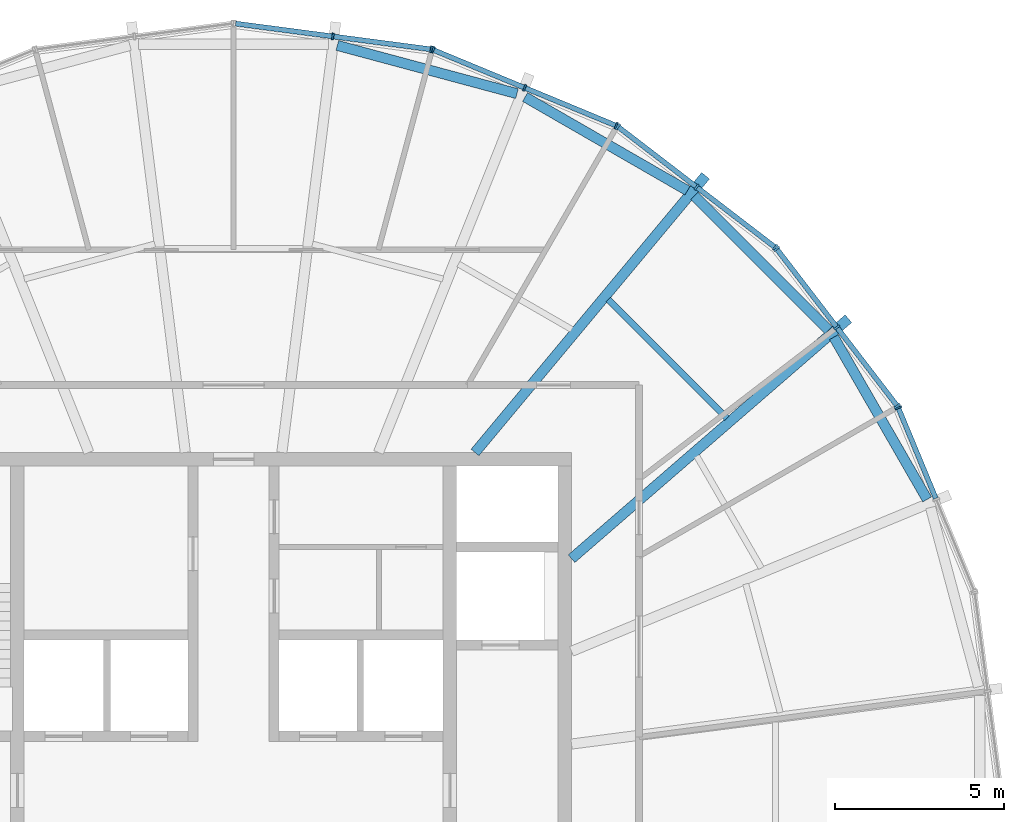
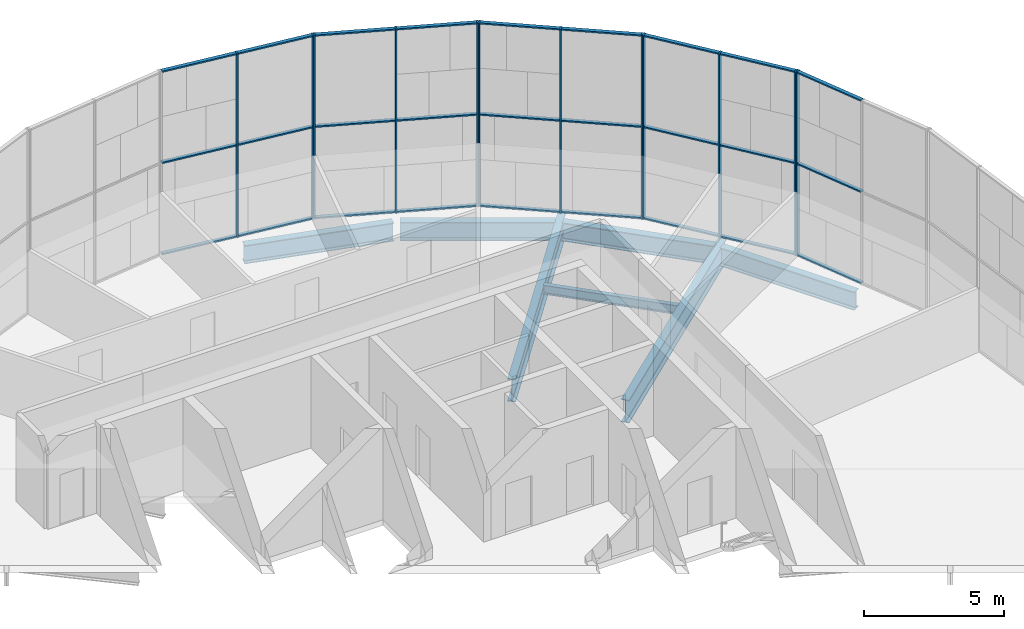
# One storey, part 7 of 19: 39 members, 7 beams, 5 elements without a shape of their own.
"""IFC4 building model written with IfcOpenShell, lengths in metres."""

import ifcopenshell
import ifcopenshell.guid

model = None  # the IFC model being written
_history = None  # IfcOwnerHistory: only IFC2X3 demands one
_inside = {}  # id of a spatial element -> (the spatial element, [elements in it])
_under = {}  # id of a project, library or spatial element -> (it, [spatial elements below it])
_declared = {}  # id of a project -> (the project, [libraries it declares])
_typed = {}  # id of a type object -> (the type object, [elements of that type])
_made_of = {}  # id of a material, layer set ... -> (it, [elements and type objects made of it])


def new_model(schema):
    """Start an empty IFC model of exactly this schema.

    Asked for "IFC4X3", IfcOpenShell would pick the latest addendum, in which some entities
    have other attributes; the version numbers below select the first issue.
    IFC2X3 requires an IfcOwnerHistory on every rooted entity: one is made here for all.
    """
    global model, _history
    if schema == "IFC4X3":
        model = ifcopenshell.file(schema_version=(4, 3, 0, 0))
    else:
        model = ifcopenshell.file(schema=schema)
    _inside.clear()
    _under.clear()
    _declared.clear()
    _typed.clear()
    _made_of.clear()
    _history = None
    if model.schema == "IFC2X3":
        org = make("IfcOrganization", Name="unknown")
        user = make(
            "IfcPersonAndOrganization",
            ThePerson=make("IfcPerson", FamilyName="unknown"),
            TheOrganization=org,
        )
        app = make(
            "IfcApplication",
            ApplicationDeveloper=org,
            Version="unknown",
            ApplicationFullName="unknown",
            ApplicationIdentifier="unknown",
        )
        _history = make(
            "IfcOwnerHistory",
            OwningUser=user,
            OwningApplication=app,
            ChangeAction="ADDED",
            CreationDate=0,
        )
    return model


def make(cls, **values):
    """One entity of the class cls with the attributes given. An attribute that is None is left unset."""
    return model.create_entity(
        cls, **{name: value for name, value in values.items() if value is not None}
    )


def rooted(cls, **values):
    """An entity with a GlobalId (a new one), such as an element, a storey or a relation."""
    return make(cls, GlobalId=ifcopenshell.guid.new(), OwnerHistory=_history, **values)


def si_unit(unit_type, name, prefix=None):
    """IfcSIUnit, for example si_unit("LENGTHUNIT", "METRE", prefix="MILLI")."""
    return make("IfcSIUnit", UnitType=unit_type, Prefix=prefix, Name=name)


def assignment(units):
    """IfcUnitAssignment: the units of a project."""
    return None if units is None else make("IfcUnitAssignment", Units=units)


def point(xyz):
    """IfcCartesianPoint."""
    return None if xyz is None else make("IfcCartesianPoint", Coordinates=xyz)


def direction(xyz):
    """IfcDirection."""
    return None if xyz is None else make("IfcDirection", DirectionRatios=xyz)


def frame(location, z_axis=None, x_axis=None):
    """IfcAxis2Placement3D, a coordinate frame: its origin and axes. An axis left out is left unset."""
    return make(
        "IfcAxis2Placement3D",
        Location=point(location),
        Axis=direction(z_axis),
        RefDirection=direction(x_axis),
    )


def frame_2d(location, x_axis=None):
    """IfcAxis2Placement2D, a coordinate frame in the plane: its origin and x axis."""
    return make(
        "IfcAxis2Placement2D", Location=point(location), RefDirection=direction(x_axis)
    )


def origin():
    """The frame at (0, 0, 0) with its axes left unset."""
    return frame((0.0, 0.0, 0.0))


def origin_2d():
    """The frame at (0, 0) in the plane with its x axis left unset."""
    return frame_2d((0.0, 0.0))


def place(relative_to, where):
    """IfcLocalPlacement: puts the frame where relative to a parent placement (None: the world)."""
    return make(
        "IfcLocalPlacement", PlacementRelTo=relative_to, RelativePlacement=where
    )


def context(
    kind, dimensions, precision=None, world=None, true_north=None, identifier=None
):
    """IfcGeometricRepresentationContext, for example the 3D "Model" context."""
    return make(
        "IfcGeometricRepresentationContext",
        ContextIdentifier=identifier,
        ContextType=kind,
        CoordinateSpaceDimension=dimensions,
        Precision=precision,
        WorldCoordinateSystem=world,
        TrueNorth=true_north,
    )


def subcontext(parent, identifier, kind, view, scale=None):
    """IfcGeometricRepresentationSubContext, for example "Body" below "Model"."""
    return make(
        "IfcGeometricRepresentationSubContext",
        ContextIdentifier=identifier,
        ContextType=kind,
        ParentContext=parent,
        TargetScale=scale,
        TargetView=view,
    )


def project(units=None, contexts=None):
    """IfcProject with its units and contexts."""
    return rooted(
        "IfcProject",
        Name="project",
        RepresentationContexts=contexts,
        UnitsInContext=assignment(units),
    )


def spatial(cls, under=None, at=None, **own):
    """A site, building, storey or space (cls), placed at a placement, below another one or the project."""
    s = rooted(cls, ObjectPlacement=at, **own)
    if under is not None:
        _under.setdefault(under.id(), (under, []))[1].append(s)
    return s


def profile(cls, at=None, kind="AREA", **sizes):
    """A parametric profile (cls). Its sizes go by their IFC names, for example OverallWidth=200.0."""
    return make(cls, ProfileType=kind, Position=at, **sizes)


def rectangle(**sizes):
    """IfcRectangleProfileDef."""
    return profile("IfcRectangleProfileDef", **sizes)


def i_section(**sizes):
    """IfcIShapeProfileDef."""
    return profile("IfcIShapeProfileDef", **sizes)


def extrude(swept, where, along, depth):
    """IfcExtrudedAreaSolid: the profile swept, set in the frame where, extruded along a direction by depth."""
    return make(
        "IfcExtrudedAreaSolid",
        SweptArea=swept,
        Position=where,
        ExtrudedDirection=direction(along),
        Depth=depth,
    )


def shape(context_of_items, identifier, shape_type, items):
    """IfcShapeRepresentation: the items that make up one representation, for example the "Body"."""
    return make(
        "IfcShapeRepresentation",
        ContextOfItems=context_of_items,
        RepresentationIdentifier=identifier,
        RepresentationType=shape_type,
        Items=items,
    )


def material(Name=None, Category=None):
    """IfcMaterial."""
    return make("IfcMaterial", Name=Name, Category=Category)


def material_profile(
    of_material, cross_section, Name=None, Category=None, Priority=None
):
    """IfcMaterialProfile: a cross section and its material."""
    return make(
        "IfcMaterialProfile",
        Name=Name,
        Material=of_material,
        Profile=cross_section,
        Priority=Priority,
        Category=Category,
    )


def profile_set(profiles, Name=None, composite=None):
    """IfcMaterialProfileSet."""
    return make(
        "IfcMaterialProfileSet",
        Name=Name,
        MaterialProfiles=profiles,
        CompositeProfile=composite,
    )


def made_of(thing, what):
    """Note that an element or type object is made of a material, layer set ...; save() writes the relation."""
    if what is not None:
        _made_of.setdefault(what.id(), (what, []))[1].append(thing)
    return thing


def type_object(cls, material=None, **own):
    """A type object (cls), such as IfcWallType, which elements share."""
    return made_of(rooted(cls, **own), material)


def element(
    cls,
    number,
    at=None,
    inside=None,
    cuts=None,
    type_object=None,
    material=None,
    context=None,
    identifier="Body",
    shape_type=None,
    held_by="IfcProductDefinitionShape",
    body=None,
    shapes=None,
    **own,
):
    """One element of the class cls, such as IfcWall. Its Tag is "e" and its number.

    at: its placement. inside: the storey or other place that contains it. cuts: it is an
    opening in that element (IfcRelVoidsElement). A single representation is given by context,
    identifier, shape_type and body (its items); several are given by shapes. held_by: the class
    of the entity that holds the representations. save() writes the other relations.
    """
    e = rooted(cls, Tag="e%d" % number, ObjectPlacement=at, **own)
    if body is not None:
        shapes = [shape(context, identifier, shape_type, body)]
    if shapes is not None:
        e.Representation = make(held_by, Representations=shapes)
    if inside is not None:
        _inside.setdefault(inside.id(), (inside, []))[1].append(e)
    if cuts is not None:
        rooted(
            "IfcRelVoidsElement", RelatingBuildingElement=cuts, RelatedOpeningElement=e
        )
    if type_object is not None:
        _typed.setdefault(type_object.id(), (type_object, []))[1].append(e)
    return made_of(e, material)


def aggregate(whole, parts):
    """IfcRelAggregates: a whole, such as a stair, and the parts it consists of."""
    return rooted("IfcRelAggregates", RelatingObject=whole, RelatedObjects=parts)


def save(model, path):
    """Write the relations noted so far, then the file.

    IfcRelAggregates (storeys below a building ...), IfcRelContainedInSpatialStructure (elements
    in a storey), IfcRelDefinesByType, IfcRelAssociatesMaterial and IfcRelDeclares: one each for
    every whole, place, type object, material and project.
    """
    for whole, parts in _under.values():
        aggregate(whole, parts)
    for where, things in _inside.values():
        rooted(
            "IfcRelContainedInSpatialStructure",
            RelatedElements=things,
            RelatingStructure=where,
        )
    for kind, things in _typed.values():
        rooted("IfcRelDefinesByType", RelatedObjects=things, RelatingType=kind)
    for what, things in _made_of.values():
        rooted("IfcRelAssociatesMaterial", RelatedObjects=things, RelatingMaterial=what)
    for by, libraries in _declared.values():
        rooted("IfcRelDeclares", RelatingContext=by, RelatedDefinitions=libraries)
    model.write(path)


model = new_model("IFC4")

# Units and contexts
model_context = context("Model", 3, precision=1e-05, world=origin(), true_north=direction((0.0, 1.0)))
body_context = subcontext(model_context, "Body", "Model", "MODEL_VIEW")
ifc_project = project(units=[si_unit("LENGTHUNIT", "METRE"), si_unit("AREAUNIT", "SQUARE_METRE"), si_unit("VOLUMEUNIT", "CUBIC_METRE"), si_unit("PLANEANGLEUNIT", "RADIAN"), si_unit("MASSUNIT", "GRAM", prefix="KILO")], contexts=[model_context])

# Site, building, storey
site_placement = place(None, origin())
site = spatial("IfcSite", under=ifc_project, at=site_placement, CompositionType="ELEMENT")
building_placement = place(site_placement, origin())
building = spatial("IfcBuilding", under=site, at=building_placement, Name="Golbaran Civic Tower", CompositionType="ELEMENT")
storey_placement = place(building_placement, frame((0.0, 0.0, 240.0)))
storey = spatial("IfcBuildingStorey", under=building, at=storey_placement, Name="L58", CompositionType="ELEMENT", Elevation=240.0)

# Beams
ifc_material_1 = material(Name="Steel S355", Category="steel")
ifc_material_profile_1 = material_profile(ifc_material_1, i_section(OverallWidth=0.300048828125, OverallDepth=0.800048828125, WebThickness=0.017578125, FlangeThickness=0.032958984375, FilletRadius=0.030029296875, at=origin_2d()), Name="HEB 800")
ifc_profile_set_1 = profile_set([ifc_material_profile_1], Name="Steel S355")
beam_type_1 = type_object("IfcBeamType", Name="EDGE BEAM HEB 800", PredefinedType="BEAM", material=ifc_profile_set_1)
beam_1_placement = place(storey_placement, frame((20.525390625, 8.6123046875, -0.60009765625), z_axis=(-0.498624327536, 0.866818193158, 0.0), x_axis=(-0.866818193158, -0.498624327536, 0.0)))
element("IfcBeam", 1, at=beam_1_placement, inside=storey, type_object=beam_type_1, Name="Edge beam 22.43 L58", PredefinedType="BEAM", context=body_context, shape_type="SweptSolid", body=[
    extrude(i_section(OverallWidth=0.300048828125, OverallDepth=0.800048828125, WebThickness=0.017578125, FlangeThickness=0.032958984375, FilletRadius=0.030029296875, at=origin_2d()), origin(), (0.0, 0.0, 1.0), 5.53857421875),
])
beam_2_placement = place(storey_placement, frame((17.60546875, 13.620361328125, -0.60009765625), z_axis=(-0.706758752811, 0.707454638352, 0.0), x_axis=(-0.707454638352, -0.706758752811, 0.0)))
element("IfcBeam", 2, at=beam_2_placement, inside=storey, type_object=beam_type_1, Name="Edge beam 37.57 L58", PredefinedType="BEAM", context=body_context, shape_type="SweptSolid", body=[
    extrude(i_section(OverallWidth=0.300048828125, OverallDepth=0.800048828125, WebThickness=0.017578125, FlangeThickness=0.032958984375, FilletRadius=0.030029296875, at=origin_2d()), origin(), (0.0, 0.0, 1.0), 5.61328125),
])
beam_3_placement = place(storey_placement, frame((13.431640625, 17.749755859375, -0.60009765625), z_axis=(-0.866378969457, 0.499387105642, 0.0), x_axis=(-0.499387105642, -0.866378969457, 0.0)))
element("IfcBeam", 3, at=beam_3_placement, inside=storey, type_object=beam_type_1, Name="Edge beam 52.43 L58", PredefinedType="BEAM", context=body_context, shape_type="SweptSolid", body=[
    extrude(i_section(OverallWidth=0.300048828125, OverallDepth=0.800048828125, WebThickness=0.017578125, FlangeThickness=0.032958984375, FilletRadius=0.030029296875, at=origin_2d()), origin(), (0.0, 0.0, 1.0), 5.546875),
])
beam_4_placement = place(storey_placement, frame((8.3857421875, 20.619140625, -0.60009765625), z_axis=(-0.965791107787, 0.259321299009, 0.0), x_axis=(-0.259321299009, -0.965791107787, 0.0)))
element("IfcBeam", 4, at=beam_4_placement, inside=storey, type_object=beam_type_1, Name="Edge beam 67.57 L58", PredefinedType="BEAM", context=body_context, shape_type="SweptSolid", body=[
    extrude(i_section(OverallWidth=0.300048828125, OverallDepth=0.800048828125, WebThickness=0.017578125, FlangeThickness=0.032958984375, FilletRadius=0.030029296875, at=origin_2d()), origin(), (0.0, 0.0, 1.0), 5.504638671875),
])
ifc_material_profile_2 = material_profile(ifc_material_1, i_section(OverallWidth=0.179931640625, OverallDepth=0.39990234375, WebThickness=0.008544921875, FlangeThickness=0.013427734375, FilletRadius=0.02099609375, at=origin_2d()), Name="IPE 400")
ifc_profile_set_2 = profile_set([ifc_material_profile_2], Name="Steel S355")
beam_type_2 = type_object("IfcBeamType", Name="FLOOR INFILL BEAM IPE 400", PredefinedType="BEAM", material=ifc_profile_set_2)
beam_5_placement = place(storey_placement, frame((14.59912109375, 11.014892578125, -0.39990234375), z_axis=(-0.70713134758, 0.70708221394, 0.0), x_axis=(-0.70708221394, -0.70713134758, 0.0)))
element("IfcBeam", 5, at=beam_5_placement, inside=storey, type_object=beam_type_2, Name="Infill beam 45.00 L58", PredefinedType="BEAM", context=body_context, shape_type="SweptSolid", body=[
    extrude(i_section(OverallWidth=0.179931640625, OverallDepth=0.39990234375, WebThickness=0.008544921875, FlangeThickness=0.013427734375, FilletRadius=0.02099609375, at=origin_2d()), origin(), (0.0, 0.0, 1.0), 4.968994140625),
])

# Curtain wall, member
ifc_material_2 = material(Name="Aluminium and glass", Category="aluminium")
curtain_wall_type = type_object("IfcCurtainWallType", Name="INNER SKIN CURTAIN WALL EXECUTIVE", PredefinedType="NOTDEFINED", material=ifc_material_2)
curtain_wall_1_placement = place(storey_placement, origin())
curtain_wall_1 = element("IfcCurtainWall", 6, at=curtain_wall_1_placement, inside=storey, type_object=curtain_wall_type, Name="Inner skin L58 facet 2 CW2", ObjectType="INNER SKIN", PredefinedType="USERDEFINED")
ifc_material_3 = material(Name="Aluminium", Category="aluminium")
ifc_material_profile_3 = material_profile(ifc_material_3, rectangle(XDim=0.199951171875, YDim=0.06005859375, at=origin_2d()), Name="INNER SKIN CURTAIN WALL EXECUTIVE MULLION")
ifc_profile_set_3 = profile_set([ifc_material_profile_3], Name="Aluminium")
member_type_1 = type_object("IfcMemberType", Name="INNER SKIN CURTAIN WALL EXECUTIVE MULLION", PredefinedType="MULLION", material=ifc_profile_set_3)
member_1_placement = place(storey_placement, frame((19.670166015625, 11.322265625, 0.0), z_axis=(0.0, 0.0, 1.0), x_axis=(-0.923879532498, -0.382683432397, 0.0)))
member_1 = element("IfcMember", 7, at=member_1_placement, type_object=member_type_1, Name="CW2 mullion 3", PredefinedType="MULLION", context=body_context, shape_type="SweptSolid", body=[
    extrude(rectangle(XDim=0.199951171875, YDim=0.06005859375, at=origin_2d()), origin(), (0.0, 0.0, 1.0), 8.0),
])

# Curtain wall, members
curtain_wall_2_placement = place(storey_placement, origin())
curtain_wall_2 = element("IfcCurtainWall", 8, at=curtain_wall_2_placement, inside=storey, type_object=curtain_wall_type, Name="Inner skin L58 facet 3 CW2", ObjectType="INNER SKIN", PredefinedType="USERDEFINED")
member_2_placement = place(storey_placement, frame((19.640625, 11.373779296875, 0.0), z_axis=(0.0, 0.0, 1.0), x_axis=(-0.793353340291, -0.608761429009, 0.0)))
member_2 = element("IfcMember", 9, at=member_2_placement, type_object=member_type_1, Name="CW2 mullion 1", PredefinedType="MULLION", context=body_context, shape_type="SweptSolid", body=[
    extrude(rectangle(XDim=0.199951171875, YDim=0.06005859375, at=origin_2d()), origin(), (0.0, 0.0, 1.0), 8.0),
])
member_3_placement = place(storey_placement, frame((17.85498046875, 13.70068359375, 0.0), z_axis=(0.0, 0.0, 1.0), x_axis=(-0.793353340291, -0.608761429009, 0.0)))
member_3 = element("IfcMember", 10, at=member_3_placement, type_object=member_type_1, Name="CW2 mullion 2", PredefinedType="MULLION", context=body_context, shape_type="SweptSolid", body=[
    extrude(rectangle(XDim=0.199951171875, YDim=0.06005859375, at=origin_2d()), origin(), (0.0, 0.0, 1.0), 8.0),
])
member_4_placement = place(storey_placement, frame((16.069580078125, 16.027587890625, 0.0), z_axis=(0.0, 0.0, 1.0), x_axis=(-0.793353340291, -0.608761429009, 0.0)))
member_4 = element("IfcMember", 11, at=member_4_placement, type_object=member_type_1, Name="CW2 mullion 3", PredefinedType="MULLION", context=body_context, shape_type="SweptSolid", body=[
    extrude(rectangle(XDim=0.199951171875, YDim=0.06005859375, at=origin_2d()), origin(), (0.0, 0.0, 1.0), 8.0),
])

curtain_wall_3_placement = place(storey_placement, origin())
curtain_wall_3 = element("IfcCurtainWall", 12, at=curtain_wall_3_placement, inside=storey, type_object=curtain_wall_type, Name="Inner skin L58 facet 4 CW2", ObjectType="INNER SKIN", PredefinedType="USERDEFINED")
member_5_placement = place(storey_placement, frame((16.027587890625, 16.069580078125, 0.0), z_axis=(0.0, 0.0, 1.0), x_axis=(-0.608761429009, -0.793353340291, 0.0)))
member_5 = element("IfcMember", 13, at=member_5_placement, type_object=member_type_1, Name="CW2 mullion 1", PredefinedType="MULLION", context=body_context, shape_type="SweptSolid", body=[
    extrude(rectangle(XDim=0.199951171875, YDim=0.06005859375, at=origin_2d()), origin(), (0.0, 0.0, 1.0), 8.0),
])
member_6_placement = place(storey_placement, frame((13.70068359375, 17.85498046875, 0.0), z_axis=(0.0, 0.0, 1.0), x_axis=(-0.608761429009, -0.793353340291, 0.0)))
member_6 = element("IfcMember", 14, at=member_6_placement, type_object=member_type_1, Name="CW2 mullion 2", PredefinedType="MULLION", context=body_context, shape_type="SweptSolid", body=[
    extrude(rectangle(XDim=0.199951171875, YDim=0.06005859375, at=origin_2d()), origin(), (0.0, 0.0, 1.0), 8.0),
])
member_7_placement = place(storey_placement, frame((11.373779296875, 19.640625, 0.0), z_axis=(0.0, 0.0, 1.0), x_axis=(-0.608761429009, -0.793353340291, 0.0)))
member_7 = element("IfcMember", 15, at=member_7_placement, type_object=member_type_1, Name="CW2 mullion 3", PredefinedType="MULLION", context=body_context, shape_type="SweptSolid", body=[
    extrude(rectangle(XDim=0.199951171875, YDim=0.06005859375, at=origin_2d()), origin(), (0.0, 0.0, 1.0), 8.0),
])

curtain_wall_4_placement = place(storey_placement, origin())
curtain_wall_4 = element("IfcCurtainWall", 16, at=curtain_wall_4_placement, inside=storey, type_object=curtain_wall_type, Name="Inner skin L58 facet 5 CW2", ObjectType="INNER SKIN", PredefinedType="USERDEFINED")
member_8_placement = place(storey_placement, frame((11.322265625, 19.670166015625, 0.0), z_axis=(0.0, 0.0, 1.0), x_axis=(-0.382683432397, -0.923879532498, 0.0)))
member_8 = element("IfcMember", 17, at=member_8_placement, type_object=member_type_1, Name="CW2 mullion 1", PredefinedType="MULLION", context=body_context, shape_type="SweptSolid", body=[
    extrude(rectangle(XDim=0.199951171875, YDim=0.06005859375, at=origin_2d()), origin(), (0.0, 0.0, 1.0), 8.0),
])
member_9_placement = place(storey_placement, frame((8.612548828125, 20.792724609375, 0.0), z_axis=(0.0, 0.0, 1.0), x_axis=(-0.382683432397, -0.923879532498, 0.0)))
member_9 = element("IfcMember", 18, at=member_9_placement, type_object=member_type_1, Name="CW2 mullion 2", PredefinedType="MULLION", context=body_context, shape_type="SweptSolid", body=[
    extrude(rectangle(XDim=0.199951171875, YDim=0.06005859375, at=origin_2d()), origin(), (0.0, 0.0, 1.0), 8.0),
])
member_10_placement = place(storey_placement, frame((5.90283203125, 21.9150390625, 0.0), z_axis=(0.0, 0.0, 1.0), x_axis=(-0.382683432397, -0.923879532498, 0.0)))
member_10 = element("IfcMember", 19, at=member_10_placement, type_object=member_type_1, Name="CW2 mullion 3", PredefinedType="MULLION", context=body_context, shape_type="SweptSolid", body=[
    extrude(rectangle(XDim=0.199951171875, YDim=0.06005859375, at=origin_2d()), origin(), (0.0, 0.0, 1.0), 8.0),
])

curtain_wall_5_placement = place(storey_placement, origin())
curtain_wall_5 = element("IfcCurtainWall", 20, at=curtain_wall_5_placement, inside=storey, type_object=curtain_wall_type, Name="Inner skin L58 facet 6 CW2", ObjectType="INNER SKIN", PredefinedType="USERDEFINED")
member_11_placement = place(storey_placement, frame((5.845458984375, 21.930419921875, 0.0), z_axis=(0.0, 0.0, 1.0), x_axis=(-0.130526192168, -0.991444861381, 0.0)))
member_11 = element("IfcMember", 21, at=member_11_placement, type_object=member_type_1, Name="CW2 mullion 1", PredefinedType="MULLION", context=body_context, shape_type="SweptSolid", body=[
    extrude(rectangle(XDim=0.199951171875, YDim=0.06005859375, at=origin_2d()), origin(), (0.0, 0.0, 1.0), 8.0),
])
member_12_placement = place(storey_placement, frame((2.9375, 22.313232421875, 0.0), z_axis=(0.0, 0.0, 1.0), x_axis=(-0.130526192168, -0.991444861381, 0.0)))
member_12 = element("IfcMember", 22, at=member_12_placement, type_object=member_type_1, Name="CW2 mullion 2", PredefinedType="MULLION", context=body_context, shape_type="SweptSolid", body=[
    extrude(rectangle(XDim=0.199951171875, YDim=0.06005859375, at=origin_2d()), origin(), (0.0, 0.0, 1.0), 8.0),
])

# Member
ifc_material_profile_4 = material_profile(ifc_material_3, rectangle(XDim=0.14990234375, YDim=0.06005859375, at=origin_2d()), Name="INNER SKIN CURTAIN WALL EXECUTIVE TRANSOM")
ifc_profile_set_4 = profile_set([ifc_material_profile_4], Name="Aluminium")
member_type_2 = type_object("IfcMemberType", Name="INNER SKIN CURTAIN WALL EXECUTIVE TRANSOM", PredefinedType="USERDEFINED", material=ifc_profile_set_4)
member_13_placement = place(storey_placement, frame((20.78125, 8.640380859375, 0.030029296875), z_axis=(-0.382732038864, 0.923859397542, 0.0), x_axis=(-0.923859397542, -0.382732038864, 0.0)))
member_13 = element("IfcMember", 23, at=member_13_placement, type_object=member_type_2, Name="CW2 transom 2.1", ObjectType="TRANSOM", PredefinedType="USERDEFINED", context=body_context, shape_type="SweptSolid", body=[
    extrude(rectangle(XDim=0.14990234375, YDim=0.06005859375, at=origin_2d()), origin(), (0.0, 0.0, 1.0), 2.873046875),
])

member_14_placement = place(storey_placement, frame((20.78125, 8.640380859375, 4.0), z_axis=(-0.382732038864, 0.923859397542, 0.0), x_axis=(-0.923859397542, -0.382732038864, 0.0)))
member_14 = element("IfcMember", 24, at=member_14_placement, type_object=member_type_2, Name="CW2 transom 2.2", ObjectType="TRANSOM", PredefinedType="USERDEFINED", context=body_context, shape_type="SweptSolid", body=[
    extrude(rectangle(XDim=0.14990234375, YDim=0.06005859375, at=origin_2d()), origin(), (0.0, 0.0, 1.0), 2.873046875),
])

member_15_placement = place(storey_placement, frame((20.78125, 8.640380859375, 7.969970703125), z_axis=(-0.382732038864, 0.923859397542, 0.0), x_axis=(-0.923859397542, -0.382732038864, 0.0)))
member_15 = element("IfcMember", 25, at=member_15_placement, type_object=member_type_2, Name="CW2 transom 2.3", ObjectType="TRANSOM", PredefinedType="USERDEFINED", context=body_context, shape_type="SweptSolid", body=[
    extrude(rectangle(XDim=0.14990234375, YDim=0.06005859375, at=origin_2d()), origin(), (0.0, 0.0, 1.0), 2.873046875),
])

aggregate(curtain_wall_1, [member_1, member_13, member_14, member_15])

member_16_placement = place(storey_placement, frame((19.622314453125, 11.397705078125, 0.030029296875), z_axis=(-0.608815053767, 0.793312189687, 0.0), x_axis=(-0.793312189687, -0.608815053767, 0.0)))
member_16 = element("IfcMember", 26, at=member_16_placement, type_object=member_type_2, Name="CW2 transom 1.1", ObjectType="TRANSOM", PredefinedType="USERDEFINED", context=body_context, shape_type="SweptSolid", body=[
    extrude(rectangle(XDim=0.14990234375, YDim=0.06005859375, at=origin_2d()), origin(), (0.0, 0.0, 1.0), 2.872802734375),
])

member_17_placement = place(storey_placement, frame((19.622314453125, 11.397705078125, 4.0), z_axis=(-0.608815053767, 0.793312189687, 0.0), x_axis=(-0.793312189687, -0.608815053767, 0.0)))
member_17 = element("IfcMember", 27, at=member_17_placement, type_object=member_type_2, Name="CW2 transom 1.2", ObjectType="TRANSOM", PredefinedType="USERDEFINED", context=body_context, shape_type="SweptSolid", body=[
    extrude(rectangle(XDim=0.14990234375, YDim=0.06005859375, at=origin_2d()), origin(), (0.0, 0.0, 1.0), 2.872802734375),
])

member_18_placement = place(storey_placement, frame((19.622314453125, 11.397705078125, 7.969970703125), z_axis=(-0.608815053767, 0.793312189687, 0.0), x_axis=(-0.793312189687, -0.608815053767, 0.0)))
member_18 = element("IfcMember", 28, at=member_18_placement, type_object=member_type_2, Name="CW2 transom 1.3", ObjectType="TRANSOM", PredefinedType="USERDEFINED", context=body_context, shape_type="SweptSolid", body=[
    extrude(rectangle(XDim=0.14990234375, YDim=0.06005859375, at=origin_2d()), origin(), (0.0, 0.0, 1.0), 2.872802734375),
])

member_19_placement = place(storey_placement, frame((17.836669921875, 13.724365234375, 0.030029296875), z_axis=(-0.608720522734, 0.793384727104, 0.0), x_axis=(-0.793384727104, -0.608720522734, 0.0)))
member_19 = element("IfcMember", 29, at=member_19_placement, type_object=member_type_2, Name="CW2 transom 2.1", ObjectType="TRANSOM", PredefinedType="USERDEFINED", context=body_context, shape_type="SweptSolid", body=[
    extrude(rectangle(XDim=0.14990234375, YDim=0.06005859375, at=origin_2d()), origin(), (0.0, 0.0, 1.0), 2.872802734375),
])

member_20_placement = place(storey_placement, frame((17.836669921875, 13.724365234375, 4.0), z_axis=(-0.608720522734, 0.793384727104, 0.0), x_axis=(-0.793384727104, -0.608720522734, 0.0)))
member_20 = element("IfcMember", 30, at=member_20_placement, type_object=member_type_2, Name="CW2 transom 2.2", ObjectType="TRANSOM", PredefinedType="USERDEFINED", context=body_context, shape_type="SweptSolid", body=[
    extrude(rectangle(XDim=0.14990234375, YDim=0.06005859375, at=origin_2d()), origin(), (0.0, 0.0, 1.0), 2.872802734375),
])

member_21_placement = place(storey_placement, frame((17.836669921875, 13.724365234375, 7.969970703125), z_axis=(-0.608720522734, 0.793384727104, 0.0), x_axis=(-0.793384727104, -0.608720522734, 0.0)))
member_21 = element("IfcMember", 31, at=member_21_placement, type_object=member_type_2, Name="CW2 transom 2.3", ObjectType="TRANSOM", PredefinedType="USERDEFINED", context=body_context, shape_type="SweptSolid", body=[
    extrude(rectangle(XDim=0.14990234375, YDim=0.06005859375, at=origin_2d()), origin(), (0.0, 0.0, 1.0), 2.872802734375),
])

aggregate(curtain_wall_2, [member_2, member_3, member_4, member_16, member_17, member_18, member_19, member_20, member_21])

member_22_placement = place(storey_placement, frame((16.003662109375, 16.087890625, 0.030029296875), z_axis=(-0.793384727104, 0.608720522734, 0.0), x_axis=(-0.608720522734, -0.793384727104, 0.0)))
member_22 = element("IfcMember", 32, at=member_22_placement, type_object=member_type_2, Name="CW2 transom 1.1", ObjectType="TRANSOM", PredefinedType="USERDEFINED", context=body_context, shape_type="SweptSolid", body=[
    extrude(rectangle(XDim=0.14990234375, YDim=0.06005859375, at=origin_2d()), origin(), (0.0, 0.0, 1.0), 2.872802734375),
])

member_23_placement = place(storey_placement, frame((16.003662109375, 16.087890625, 4.0), z_axis=(-0.793384727104, 0.608720522734, 0.0), x_axis=(-0.608720522734, -0.793384727104, 0.0)))
member_23 = element("IfcMember", 33, at=member_23_placement, type_object=member_type_2, Name="CW2 transom 1.2", ObjectType="TRANSOM", PredefinedType="USERDEFINED", context=body_context, shape_type="SweptSolid", body=[
    extrude(rectangle(XDim=0.14990234375, YDim=0.06005859375, at=origin_2d()), origin(), (0.0, 0.0, 1.0), 2.872802734375),
])

member_24_placement = place(storey_placement, frame((16.003662109375, 16.087890625, 7.969970703125), z_axis=(-0.793384727104, 0.608720522734, 0.0), x_axis=(-0.608720522734, -0.793384727104, 0.0)))
member_24 = element("IfcMember", 34, at=member_24_placement, type_object=member_type_2, Name="CW2 transom 1.3", ObjectType="TRANSOM", PredefinedType="USERDEFINED", context=body_context, shape_type="SweptSolid", body=[
    extrude(rectangle(XDim=0.14990234375, YDim=0.06005859375, at=origin_2d()), origin(), (0.0, 0.0, 1.0), 2.872802734375),
])

member_25_placement = place(storey_placement, frame((13.6767578125, 17.873291015625, 0.030029296875), z_axis=(-0.793312189687, 0.608815053767, 0.0), x_axis=(-0.608815053767, -0.793312189687, 0.0)))
member_25 = element("IfcMember", 35, at=member_25_placement, type_object=member_type_2, Name="CW2 transom 2.1", ObjectType="TRANSOM", PredefinedType="USERDEFINED", context=body_context, shape_type="SweptSolid", body=[
    extrude(rectangle(XDim=0.14990234375, YDim=0.06005859375, at=origin_2d()), origin(), (0.0, 0.0, 1.0), 2.872802734375),
])

member_26_placement = place(storey_placement, frame((13.6767578125, 17.873291015625, 4.0), z_axis=(-0.793312189687, 0.608815053767, 0.0), x_axis=(-0.608815053767, -0.793312189687, 0.0)))
member_26 = element("IfcMember", 36, at=member_26_placement, type_object=member_type_2, Name="CW2 transom 2.2", ObjectType="TRANSOM", PredefinedType="USERDEFINED", context=body_context, shape_type="SweptSolid", body=[
    extrude(rectangle(XDim=0.14990234375, YDim=0.06005859375, at=origin_2d()), origin(), (0.0, 0.0, 1.0), 2.872802734375),
])

member_27_placement = place(storey_placement, frame((13.6767578125, 17.873291015625, 7.969970703125), z_axis=(-0.793312189687, 0.608815053767, 0.0), x_axis=(-0.608815053767, -0.793312189687, 0.0)))
member_27 = element("IfcMember", 37, at=member_27_placement, type_object=member_type_2, Name="CW2 transom 2.3", ObjectType="TRANSOM", PredefinedType="USERDEFINED", context=body_context, shape_type="SweptSolid", body=[
    extrude(rectangle(XDim=0.14990234375, YDim=0.06005859375, at=origin_2d()), origin(), (0.0, 0.0, 1.0), 2.872802734375),
])

aggregate(curtain_wall_3, [member_5, member_6, member_7, member_22, member_23, member_24, member_25, member_26, member_27])

member_28_placement = place(storey_placement, frame((11.294677734375, 19.681640625, 0.030029296875), z_axis=(-0.923859397542, 0.382732038864, 0.0), x_axis=(-0.382732038864, -0.923859397542, 0.0)))
member_28 = element("IfcMember", 38, at=member_28_placement, type_object=member_type_2, Name="CW2 transom 1.1", ObjectType="TRANSOM", PredefinedType="USERDEFINED", context=body_context, shape_type="SweptSolid", body=[
    extrude(rectangle(XDim=0.14990234375, YDim=0.06005859375, at=origin_2d()), origin(), (0.0, 0.0, 1.0), 2.873046875),
])

member_29_placement = place(storey_placement, frame((11.294677734375, 19.681640625, 4.0), z_axis=(-0.923859397542, 0.382732038864, 0.0), x_axis=(-0.382732038864, -0.923859397542, 0.0)))
member_29 = element("IfcMember", 39, at=member_29_placement, type_object=member_type_2, Name="CW2 transom 1.2", ObjectType="TRANSOM", PredefinedType="USERDEFINED", context=body_context, shape_type="SweptSolid", body=[
    extrude(rectangle(XDim=0.14990234375, YDim=0.06005859375, at=origin_2d()), origin(), (0.0, 0.0, 1.0), 2.873046875),
])

member_30_placement = place(storey_placement, frame((11.294677734375, 19.681640625, 7.969970703125), z_axis=(-0.923859397542, 0.382732038864, 0.0), x_axis=(-0.382732038864, -0.923859397542, 0.0)))
member_30 = element("IfcMember", 40, at=member_30_placement, type_object=member_type_2, Name="CW2 transom 1.3", ObjectType="TRANSOM", PredefinedType="USERDEFINED", context=body_context, shape_type="SweptSolid", body=[
    extrude(rectangle(XDim=0.14990234375, YDim=0.06005859375, at=origin_2d()), origin(), (0.0, 0.0, 1.0), 2.873046875),
])

member_31_placement = place(storey_placement, frame((8.5849609375, 20.80419921875, 0.030029296875), z_axis=(-0.923889442397, 0.382659506909, 0.0), x_axis=(-0.382659506909, -0.923889442397, 0.0)))
member_31 = element("IfcMember", 41, at=member_31_placement, type_object=member_type_2, Name="CW2 transom 2.1", ObjectType="TRANSOM", PredefinedType="USERDEFINED", context=body_context, shape_type="SweptSolid", body=[
    extrude(rectangle(XDim=0.14990234375, YDim=0.06005859375, at=origin_2d()), origin(), (0.0, 0.0, 1.0), 2.873046875),
])

member_32_placement = place(storey_placement, frame((8.5849609375, 20.80419921875, 4.0), z_axis=(-0.923889442397, 0.382659506909, 0.0), x_axis=(-0.382659506909, -0.923889442397, 0.0)))
member_32 = element("IfcMember", 42, at=member_32_placement, type_object=member_type_2, Name="CW2 transom 2.2", ObjectType="TRANSOM", PredefinedType="USERDEFINED", context=body_context, shape_type="SweptSolid", body=[
    extrude(rectangle(XDim=0.14990234375, YDim=0.06005859375, at=origin_2d()), origin(), (0.0, 0.0, 1.0), 2.873046875),
])

member_33_placement = place(storey_placement, frame((8.5849609375, 20.80419921875, 7.969970703125), z_axis=(-0.923889442397, 0.382659506909, 0.0), x_axis=(-0.382659506909, -0.923889442397, 0.0)))
member_33 = element("IfcMember", 43, at=member_33_placement, type_object=member_type_2, Name="CW2 transom 2.3", ObjectType="TRANSOM", PredefinedType="USERDEFINED", context=body_context, shape_type="SweptSolid", body=[
    extrude(rectangle(XDim=0.14990234375, YDim=0.06005859375, at=origin_2d()), origin(), (0.0, 0.0, 1.0), 2.873046875),
])

aggregate(curtain_wall_4, [member_8, member_9, member_10, member_28, member_29, member_30, member_31, member_32, member_33])

member_34_placement = place(storey_placement, frame((5.815673828125, 21.934326171875, 0.030029296875), z_axis=(-0.991444747987, 0.130527053476, 0.0), x_axis=(-0.130527053476, -0.991444747987, 0.0)))
member_34 = element("IfcMember", 44, at=member_34_placement, type_object=member_type_2, Name="CW2 transom 1.1", ObjectType="TRANSOM", PredefinedType="USERDEFINED", context=body_context, shape_type="SweptSolid", body=[
    extrude(rectangle(XDim=0.14990234375, YDim=0.06005859375, at=origin_2d()), origin(), (0.0, 0.0, 1.0), 2.873046875),
])

member_35_placement = place(storey_placement, frame((5.815673828125, 21.934326171875, 4.0), z_axis=(-0.991444747987, 0.130527053476, 0.0), x_axis=(-0.130527053476, -0.991444747987, 0.0)))
member_35 = element("IfcMember", 45, at=member_35_placement, type_object=member_type_2, Name="CW2 transom 1.2", ObjectType="TRANSOM", PredefinedType="USERDEFINED", context=body_context, shape_type="SweptSolid", body=[
    extrude(rectangle(XDim=0.14990234375, YDim=0.06005859375, at=origin_2d()), origin(), (0.0, 0.0, 1.0), 2.873046875),
])

member_36_placement = place(storey_placement, frame((5.815673828125, 21.934326171875, 7.969970703125), z_axis=(-0.991444747987, 0.130527053476, 0.0), x_axis=(-0.130527053476, -0.991444747987, 0.0)))
member_36 = element("IfcMember", 46, at=member_36_placement, type_object=member_type_2, Name="CW2 transom 1.3", ObjectType="TRANSOM", PredefinedType="USERDEFINED", context=body_context, shape_type="SweptSolid", body=[
    extrude(rectangle(XDim=0.14990234375, YDim=0.06005859375, at=origin_2d()), origin(), (0.0, 0.0, 1.0), 2.873046875),
])

member_37_placement = place(storey_placement, frame((2.907958984375, 22.317138671875, 0.030029296875), z_axis=(-0.991444747987, 0.130527053476, 0.0), x_axis=(-0.130527053476, -0.991444747987, 0.0)))
member_37 = element("IfcMember", 47, at=member_37_placement, type_object=member_type_2, Name="CW2 transom 2.1", ObjectType="TRANSOM", PredefinedType="USERDEFINED", context=body_context, shape_type="SweptSolid", body=[
    extrude(rectangle(XDim=0.14990234375, YDim=0.06005859375, at=origin_2d()), origin(), (0.0, 0.0, 1.0), 2.873046875),
])

member_38_placement = place(storey_placement, frame((2.907958984375, 22.317138671875, 4.0), z_axis=(-0.991444747987, 0.130527053476, 0.0), x_axis=(-0.130527053476, -0.991444747987, 0.0)))
member_38 = element("IfcMember", 48, at=member_38_placement, type_object=member_type_2, Name="CW2 transom 2.2", ObjectType="TRANSOM", PredefinedType="USERDEFINED", context=body_context, shape_type="SweptSolid", body=[
    extrude(rectangle(XDim=0.14990234375, YDim=0.06005859375, at=origin_2d()), origin(), (0.0, 0.0, 1.0), 2.873046875),
])

member_39_placement = place(storey_placement, frame((2.907958984375, 22.317138671875, 7.969970703125), z_axis=(-0.991444747987, 0.130527053476, 0.0), x_axis=(-0.130527053476, -0.991444747987, 0.0)))
member_39 = element("IfcMember", 49, at=member_39_placement, type_object=member_type_2, Name="CW2 transom 2.3", ObjectType="TRANSOM", PredefinedType="USERDEFINED", context=body_context, shape_type="SweptSolid", body=[
    extrude(rectangle(XDim=0.14990234375, YDim=0.06005859375, at=origin_2d()), origin(), (0.0, 0.0, 1.0), 2.873046875),
])

aggregate(curtain_wall_5, [member_11, member_12, member_34, member_35, member_36, member_37, member_38, member_39])

# Beams
ifc_material_profile_5 = material_profile(ifc_material_1, i_section(OverallWidth=0.300048828125, OverallDepth=1.0, WebThickness=0.01904296875, FlangeThickness=0.035888671875, FilletRadius=0.030029296875, at=origin_2d()), Name="HEB 1000")
ifc_profile_set_5 = profile_set([ifc_material_profile_5], Name="Steel S355")
beam_type_3 = type_object("IfcBeamType", Name="RADIAL FLOOR BEAM HEB 1000", PredefinedType="BEAM", material=ifc_profile_set_5)
beam_6_placement = place(storey_placement, frame((10.0, 6.857177734375, -0.7099609375), z_axis=(0.755712851544, 0.654903111927, 0.0), x_axis=(-0.654903111927, 0.755712851544, 0.0)))
element("IfcBeam", 50, at=beam_6_placement, inside=storey, type_object=beam_type_3, Name="Radial beam 37.57 L58", PredefinedType="BEAM", context=body_context, shape_type="SweptSolid", body=[
    extrude(i_section(OverallWidth=0.300048828125, OverallDepth=1.0, WebThickness=0.01904296875, FlangeThickness=0.035888671875, FilletRadius=0.030029296875, at=origin_2d()), origin(), (0.0, 0.0, 1.0), 10.8447265625),
])
beam_7_placement = place(storey_placement, frame((7.142822265625, 10.0, -0.7099609375), z_axis=(0.640184399664, 0.768221279597, 0.0), x_axis=(-0.768221279597, 0.640184399664, 0.0)))
element("IfcBeam", 51, at=beam_7_placement, inside=storey, type_object=beam_type_3, Name="Radial beam 52.43 L58", PredefinedType="BEAM", context=body_context, shape_type="SweptSolid", body=[
    extrude(i_section(OverallWidth=0.300048828125, OverallDepth=1.0, WebThickness=0.01904296875, FlangeThickness=0.035888671875, FilletRadius=0.030029296875, at=origin_2d()), origin(), (0.0, 0.0, 1.0), 10.660888671875),
])

save(model, "model.ifc")
